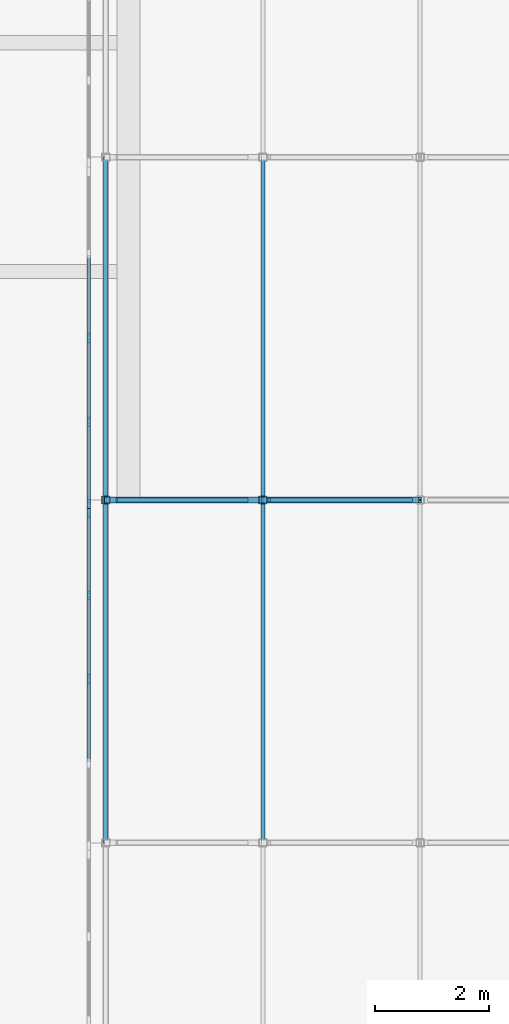
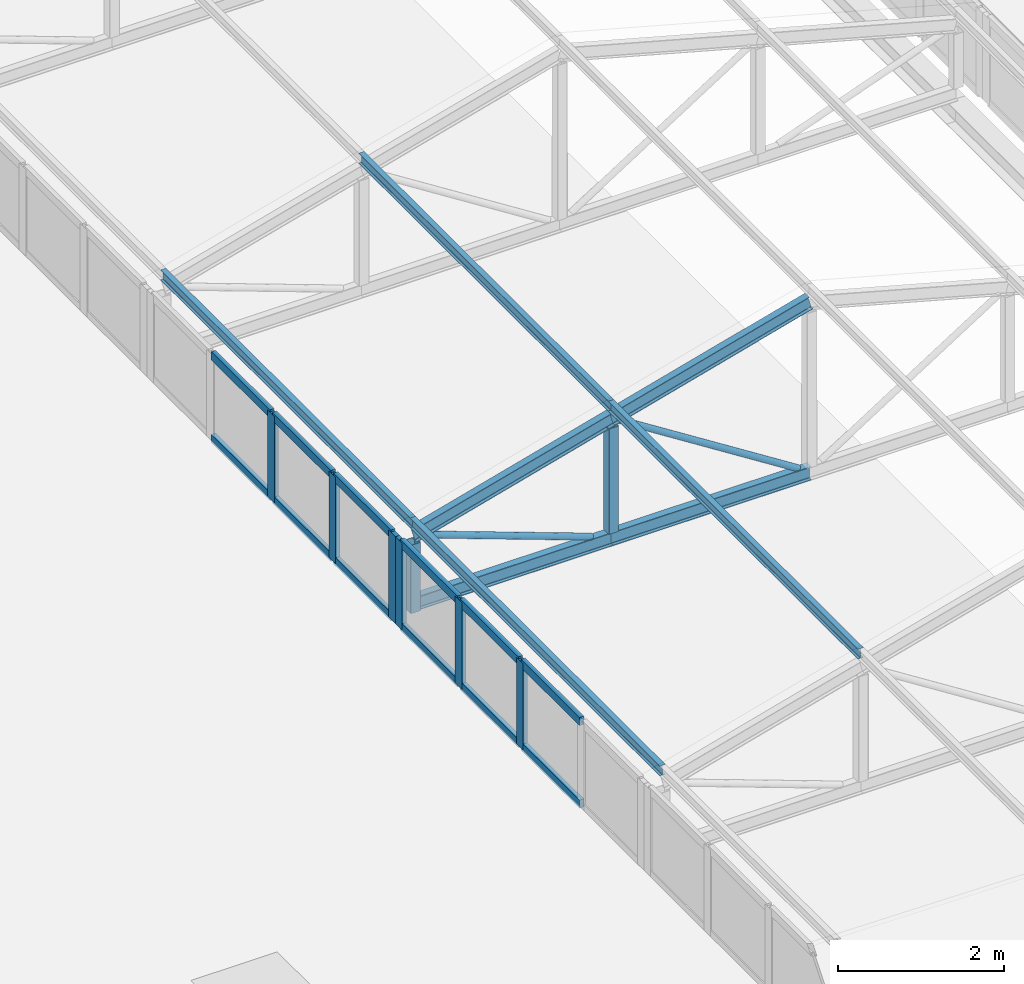
# One storey, part 41 of 94: 30 members, 2 elements without a shape of their own.
"""IFC4 building model written with IfcOpenShell, lengths in metres."""

from ifc_helpers import new_model, si_unit, direction, frame, origin, origin_2d, place, context, subcontext, project, spatial, rectangle, hollow_rectangle, hollow_circle, i_section, extrude, material, layer, layer_set, material_profile, profile_set, type_object, element, aggregate, save


model = new_model("IFC4")

# Units and contexts
model_context = context("Model", 3, precision=1e-05, world=origin(), true_north=direction((0.0, 1.0)))
body_context = subcontext(model_context, "Body", "Model", "MODEL_VIEW")
ifc_project = project(units=[si_unit("LENGTHUNIT", "METRE"), si_unit("AREAUNIT", "SQUARE_METRE"), si_unit("VOLUMEUNIT", "CUBIC_METRE"), si_unit("PLANEANGLEUNIT", "RADIAN"), si_unit("MASSUNIT", "GRAM", prefix="KILO")], contexts=[model_context])

# Site, building, storey
site_placement = place(None, origin())
site = spatial("IfcSite", under=ifc_project, at=site_placement, CompositionType="ELEMENT")
building_placement = place(site_placement, origin())
building = spatial("IfcBuilding", under=site, at=building_placement, Name="Lilac Gate Convention Centre", CompositionType="ELEMENT")
storey_placement = place(building_placement, frame((0.0, 0.0, 21.0)))
storey = spatial("IfcBuildingStorey", under=building, at=storey_placement, Name="L04", CompositionType="ELEMENT", Elevation=21.0)

# Curtain wall, members
ifc_material_1 = material(Name="Aluminium framed double glazing", Category="aluminium")
ifc_layer = layer(ifc_material_1, 0.199951171875)
ifc_layer_set = layer_set([ifc_layer], Name="Aluminium framed double glazing")
curtain_wall_type = type_object("IfcCurtainWallType", Name="Unitised curtain wall 1500", PredefinedType="NOTDEFINED", material=ifc_layer_set)
curtain_wall_1_placement = place(storey_placement, origin())
curtain_wall_1 = element("IfcCurtainWall", 1, at=curtain_wall_1_placement, inside=storey, type_object=curtain_wall_type, Name="Lantern clerestory W 22", PredefinedType="NOTDEFINED")
ifc_material_2 = material(Name="Aluminium alloy 6063", Category="aluminium")
ifc_material_profile_1 = material_profile(ifc_material_2, rectangle(XDim=0.06005859375, YDim=0.159912109375, at=origin_2d()), Name="Curtain wall mullion 60 x 160")
ifc_profile_set_1 = profile_set([ifc_material_profile_1], Name="Aluminium alloy 6063")
member_type_1 = type_object("IfcMemberType", Name="Curtain wall mullion 60 x 160", PredefinedType="MULLION", material=ifc_profile_set_1)
member_1_placement = place(storey_placement, frame((17.300048828125, 158.862548828125, 0.0), z_axis=(0.0, 0.0, 1.0), x_axis=(-1.0, 0.0, 0.0)))
member_1 = element("IfcMember", 2, at=member_1_placement, type_object=member_type_1, Name="CW mullion 3", PredefinedType="MULLION", context=body_context, shape_type="SweptSolid", body=[
    extrude(rectangle(XDim=0.06005859375, YDim=0.159912109375, at=origin_2d()), origin(), (0.0, 0.0, 1.0), 1.272216796875),
])
member_2_placement = place(storey_placement, frame((17.300048828125, 160.331298828125, 0.0), z_axis=(0.0, 0.0, 1.0), x_axis=(-1.0, 0.0, 0.0)))
member_2 = element("IfcMember", 3, at=member_2_placement, type_object=member_type_1, Name="CW mullion 4", PredefinedType="MULLION", context=body_context, shape_type="SweptSolid", body=[
    extrude(rectangle(XDim=0.06005859375, YDim=0.159912109375, at=origin_2d()), origin(), (0.0, 0.0, 1.0), 1.272216796875),
])
member_3_placement = place(storey_placement, frame((17.300048828125, 161.77001953125, 0.0), z_axis=(0.0, 0.0, 1.0), x_axis=(-1.0, 0.0, 0.0)))
member_3 = element("IfcMember", 4, at=member_3_placement, type_object=member_type_1, Name="CW mullion 5", PredefinedType="MULLION", context=body_context, shape_type="SweptSolid", body=[
    extrude(rectangle(XDim=0.06005859375, YDim=0.159912109375, at=origin_2d()), origin(), (0.0, 0.0, 1.0), 1.272216796875),
])

curtain_wall_2_placement = place(storey_placement, origin())
curtain_wall_2 = element("IfcCurtainWall", 5, at=curtain_wall_2_placement, inside=storey, type_object=curtain_wall_type, Name="Lantern clerestory W 23", PredefinedType="NOTDEFINED")
member_4_placement = place(storey_placement, frame((17.300048828125, 161.929931640625, 0.0), z_axis=(0.0, 0.0, 1.0), x_axis=(-1.0, 0.0, 0.0)))
member_4 = element("IfcMember", 6, at=member_4_placement, type_object=member_type_1, Name="CW mullion 1", PredefinedType="MULLION", context=body_context, shape_type="SweptSolid", body=[
    extrude(rectangle(XDim=0.06005859375, YDim=0.159912109375, at=origin_2d()), origin(), (0.0, 0.0, 1.0), 1.272216796875),
])
member_5_placement = place(storey_placement, frame((17.300048828125, 163.36865234375, 0.0), z_axis=(0.0, 0.0, 1.0), x_axis=(-1.0, 0.0, 0.0)))
member_5 = element("IfcMember", 7, at=member_5_placement, type_object=member_type_1, Name="CW mullion 2", PredefinedType="MULLION", context=body_context, shape_type="SweptSolid", body=[
    extrude(rectangle(XDim=0.06005859375, YDim=0.159912109375, at=origin_2d()), origin(), (0.0, 0.0, 1.0), 1.272216796875),
])
member_6_placement = place(storey_placement, frame((17.300048828125, 164.83740234375, 0.0), z_axis=(0.0, 0.0, 1.0), x_axis=(-1.0, 0.0, 0.0)))
member_6 = element("IfcMember", 8, at=member_6_placement, type_object=member_type_1, Name="CW mullion 3", PredefinedType="MULLION", context=body_context, shape_type="SweptSolid", body=[
    extrude(rectangle(XDim=0.06005859375, YDim=0.159912109375, at=origin_2d()), origin(), (0.0, 0.0, 1.0), 1.272216796875),
])

# Member
ifc_material_profile_2 = material_profile(ifc_material_2, rectangle(XDim=0.06005859375, YDim=0.1201171875, at=origin_2d()), Name="Curtain wall transom 60 x 120")
ifc_profile_set_2 = profile_set([ifc_material_profile_2], Name="Aluminium alloy 6063")
member_type_2 = type_object("IfcMemberType", Name="Curtain wall transom 60 x 120", PredefinedType="USERDEFINED", material=ifc_profile_set_2)
member_7_placement = place(storey_placement, frame((17.300048828125, 157.423828125, 0.030029296875), z_axis=(0.0, 1.0, 0.0), x_axis=(-1.0, 0.0, 0.0)))
member_7 = element("IfcMember", 9, at=member_7_placement, type_object=member_type_2, Name="CW transom 2.1", ObjectType="TRANSOM", PredefinedType="USERDEFINED", context=body_context, shape_type="SweptSolid", body=[
    extrude(rectangle(XDim=0.06005859375, YDim=0.1201171875, at=origin_2d()), origin(), (0.0, 0.0, 1.0), 1.40869140625),
])

member_8_placement = place(storey_placement, frame((17.300048828125, 157.423828125, 1.2421875), z_axis=(0.0, 1.0, 0.0), x_axis=(-1.0, 0.0, 0.0)))
member_8 = element("IfcMember", 10, at=member_8_placement, type_object=member_type_2, Name="CW transom 2.2", ObjectType="TRANSOM", PredefinedType="USERDEFINED", context=body_context, shape_type="SweptSolid", body=[
    extrude(rectangle(XDim=0.06005859375, YDim=0.1201171875, at=origin_2d()), origin(), (0.0, 0.0, 1.0), 1.40869140625),
])

member_9_placement = place(storey_placement, frame((17.300048828125, 158.892578125, 0.030029296875), z_axis=(0.0, 1.0, 0.0), x_axis=(-1.0, 0.0, 0.0)))
member_9 = element("IfcMember", 11, at=member_9_placement, type_object=member_type_2, Name="CW transom 3.1", ObjectType="TRANSOM", PredefinedType="USERDEFINED", context=body_context, shape_type="SweptSolid", body=[
    extrude(rectangle(XDim=0.06005859375, YDim=0.1201171875, at=origin_2d()), origin(), (0.0, 0.0, 1.0), 1.40869140625),
])

member_10_placement = place(storey_placement, frame((17.300048828125, 158.892578125, 1.2421875), z_axis=(0.0, 1.0, 0.0), x_axis=(-1.0, 0.0, 0.0)))
member_10 = element("IfcMember", 12, at=member_10_placement, type_object=member_type_2, Name="CW transom 3.2", ObjectType="TRANSOM", PredefinedType="USERDEFINED", context=body_context, shape_type="SweptSolid", body=[
    extrude(rectangle(XDim=0.06005859375, YDim=0.1201171875, at=origin_2d()), origin(), (0.0, 0.0, 1.0), 1.40869140625),
])

member_11_placement = place(storey_placement, frame((17.300048828125, 160.361328125, 0.030029296875), z_axis=(0.0, 1.0, 0.0), x_axis=(-1.0, 0.0, 0.0)))
member_11 = element("IfcMember", 13, at=member_11_placement, type_object=member_type_2, Name="CW transom 4.1", ObjectType="TRANSOM", PredefinedType="USERDEFINED", context=body_context, shape_type="SweptSolid", body=[
    extrude(rectangle(XDim=0.06005859375, YDim=0.1201171875, at=origin_2d()), origin(), (0.0, 0.0, 1.0), 1.378662109375),
])

member_12_placement = place(storey_placement, frame((17.300048828125, 160.361328125, 1.2421875), z_axis=(0.0, 1.0, 0.0), x_axis=(-1.0, 0.0, 0.0)))
member_12 = element("IfcMember", 14, at=member_12_placement, type_object=member_type_2, Name="CW transom 4.2", ObjectType="TRANSOM", PredefinedType="USERDEFINED", context=body_context, shape_type="SweptSolid", body=[
    extrude(rectangle(XDim=0.06005859375, YDim=0.1201171875, at=origin_2d()), origin(), (0.0, 0.0, 1.0), 1.378662109375),
])

aggregate(curtain_wall_1, [member_1, member_2, member_3, member_7, member_8, member_9, member_10, member_11, member_12])

member_13_placement = place(storey_placement, frame((17.300048828125, 161.9599609375, 0.030029296875), z_axis=(0.0, 1.0, 0.0), x_axis=(-1.0, 0.0, 0.0)))
member_13 = element("IfcMember", 15, at=member_13_placement, type_object=member_type_2, Name="CW transom 1.1", ObjectType="TRANSOM", PredefinedType="USERDEFINED", context=body_context, shape_type="SweptSolid", body=[
    extrude(rectangle(XDim=0.06005859375, YDim=0.1201171875, at=origin_2d()), origin(), (0.0, 0.0, 1.0), 1.378662109375),
])

member_14_placement = place(storey_placement, frame((17.300048828125, 161.9599609375, 1.2421875), z_axis=(0.0, 1.0, 0.0), x_axis=(-1.0, 0.0, 0.0)))
member_14 = element("IfcMember", 16, at=member_14_placement, type_object=member_type_2, Name="CW transom 1.2", ObjectType="TRANSOM", PredefinedType="USERDEFINED", context=body_context, shape_type="SweptSolid", body=[
    extrude(rectangle(XDim=0.06005859375, YDim=0.1201171875, at=origin_2d()), origin(), (0.0, 0.0, 1.0), 1.378662109375),
])

member_15_placement = place(storey_placement, frame((17.300048828125, 163.398681640625, 0.030029296875), z_axis=(0.0, 1.0, 0.0), x_axis=(-1.0, 0.0, 0.0)))
member_15 = element("IfcMember", 17, at=member_15_placement, type_object=member_type_2, Name="CW transom 2.1", ObjectType="TRANSOM", PredefinedType="USERDEFINED", context=body_context, shape_type="SweptSolid", body=[
    extrude(rectangle(XDim=0.06005859375, YDim=0.1201171875, at=origin_2d()), origin(), (0.0, 0.0, 1.0), 1.40869140625),
])

member_16_placement = place(storey_placement, frame((17.300048828125, 163.398681640625, 1.2421875), z_axis=(0.0, 1.0, 0.0), x_axis=(-1.0, 0.0, 0.0)))
member_16 = element("IfcMember", 18, at=member_16_placement, type_object=member_type_2, Name="CW transom 2.2", ObjectType="TRANSOM", PredefinedType="USERDEFINED", context=body_context, shape_type="SweptSolid", body=[
    extrude(rectangle(XDim=0.06005859375, YDim=0.1201171875, at=origin_2d()), origin(), (0.0, 0.0, 1.0), 1.40869140625),
])

member_17_placement = place(storey_placement, frame((17.300048828125, 164.867431640625, 0.030029296875), z_axis=(0.0, 1.0, 0.0), x_axis=(-1.0, 0.0, 0.0)))
member_17 = element("IfcMember", 19, at=member_17_placement, type_object=member_type_2, Name="CW transom 3.1", ObjectType="TRANSOM", PredefinedType="USERDEFINED", context=body_context, shape_type="SweptSolid", body=[
    extrude(rectangle(XDim=0.06005859375, YDim=0.1201171875, at=origin_2d()), origin(), (0.0, 0.0, 1.0), 1.40869140625),
])

member_18_placement = place(storey_placement, frame((17.300048828125, 164.867431640625, 1.2421875), z_axis=(0.0, 1.0, 0.0), x_axis=(-1.0, 0.0, 0.0)))
member_18 = element("IfcMember", 20, at=member_18_placement, type_object=member_type_2, Name="CW transom 3.2", ObjectType="TRANSOM", PredefinedType="USERDEFINED", context=body_context, shape_type="SweptSolid", body=[
    extrude(rectangle(XDim=0.06005859375, YDim=0.1201171875, at=origin_2d()), origin(), (0.0, 0.0, 1.0), 1.40869140625),
])

aggregate(curtain_wall_2, [member_4, member_5, member_6, member_13, member_14, member_15, member_16, member_17, member_18])

# Members
ifc_material_3 = material(Name="Steel Q355B", Category="steel")
ifc_material_profile_3 = material_profile(ifc_material_3, i_section(OverallWidth=0.10009765625, OverallDepth=0.199951171875, WebThickness=0.005615234375, FlangeThickness=0.008056640625, FilletRadius=0.008056640625, at=origin_2d()), Name="HN200x100x5.5x8")
ifc_profile_set_3 = profile_set([ifc_material_profile_3], Name="Steel Q355B")
member_type_3 = type_object("IfcMemberType", Name="Lantern bottom chord HN200x100x5.5x8", PredefinedType="CHORD", material=ifc_profile_set_3)
for number, where, z_axis, x_axis, name in (
    (21, (17.60009765625, 162.0, 0.10009765625), (1.0, 0.0, 0.0), (0.0, 1.0, 0.0), "LB1 lantern truss 23 bottom chord 1"),
    (22, (20.35009765625, 162.0, 0.10009765625), (1.0, 0.0, 0.0), (0.0, 1.0, 0.0), "LB1 lantern truss 23 bottom chord 2"),
):
    element("IfcMember", number, at=place(storey_placement, frame(where, z_axis=z_axis, x_axis=x_axis)), inside=storey, type_object=member_type_3, Name=name, PredefinedType="CHORD", context=body_context, shape_type="SweptSolid", body=[
        extrude(i_section(OverallWidth=0.10009765625, OverallDepth=0.199951171875, WebThickness=0.005615234375, FlangeThickness=0.008056640625, FilletRadius=0.008056640625, at=origin_2d()), origin(), (0.0, 0.0, 1.0), 2.75),
    ])
ifc_material_profile_4 = material_profile(ifc_material_3, hollow_circle(Radius=0.04443359375, WallThickness=0.0048828125, at=origin_2d()), Name="CHS88.9x5")
ifc_profile_set_4 = profile_set([ifc_material_profile_4], Name="Steel Q355B")
member_type_4 = type_object("IfcMemberType", Name="Lantern diagonal CHS88.9x5", PredefinedType="BRACE", material=ifc_profile_set_4)
member_19_placement = place(storey_placement, frame((17.789794921875, 162.0, 1.031005859375), z_axis=(0.939781696917, 0.0, -0.341775309434), x_axis=(0.0, 1.0, 0.0)))
element("IfcMember", 23, at=member_19_placement, inside=storey, type_object=member_type_4, Name="LW1 lantern truss 23 diagonal 1", PredefinedType="BRACE", context=body_context, shape_type="SweptSolid", body=[
    extrude(hollow_circle(Radius=0.04443359375, WallThickness=0.0048828125, at=origin_2d()), origin(), (0.0, 0.0, 1.0), 2.431640625),
])
member_20_placement = place(storey_placement, frame((20.45849609375, 162.0, 1.781005859375), z_axis=(0.843647832412, 0.0, -0.536896949951), x_axis=(0.0, 1.0, 0.0)))
element("IfcMember", 24, at=member_20_placement, inside=storey, type_object=member_type_4, Name="LW1 lantern truss 23 diagonal 2", PredefinedType="BRACE", context=body_context, shape_type="SweptSolid", body=[
    extrude(hollow_circle(Radius=0.04443359375, WallThickness=0.0048828125, at=origin_2d()), origin(), (0.0, 0.0, 1.0), 2.94482421875),
])
ifc_material_profile_5 = material_profile(ifc_material_3, hollow_rectangle(XDim=0.139892578125, YDim=0.139892578125, WallThickness=0.0048828125, InnerFilletRadius=0.0048828125, OuterFilletRadius=0.010009765625, at=origin_2d()), Name="SHS140x140x5")
ifc_profile_set_5 = profile_set([ifc_material_profile_5], Name="Steel Q355B")
member_type_5 = type_object("IfcMemberType", Name="Lantern post SHS140x140x5", PredefinedType="STRUT", material=ifc_profile_set_5)
member_21_placement = place(storey_placement, frame((17.60009765625, 162.0, 0.0), z_axis=(0.0, 0.0, 1.0), x_axis=(1.0, 0.0, 0.0)))
element("IfcMember", 25, at=member_21_placement, inside=storey, type_object=member_type_5, Name="LV1 lantern truss 23 post 1", PredefinedType="STRUT", context=body_context, shape_type="SweptSolid", body=[
    extrude(hollow_rectangle(XDim=0.139892578125, YDim=0.139892578125, WallThickness=0.0048828125, InnerFilletRadius=0.0048828125, OuterFilletRadius=0.010009765625, at=origin_2d()), origin(), (0.0, 0.0, 1.0), 1.001953125),
])
member_22_placement = place(storey_placement, frame((20.35009765625, 162.0, 0.199951171875), z_axis=(0.0, 0.0, 1.0), x_axis=(1.0, 0.0, 0.0)))
element("IfcMember", 26, at=member_22_placement, inside=storey, type_object=member_type_5, Name="LV1 lantern truss 23 post 2", PredefinedType="STRUT", context=body_context, shape_type="SweptSolid", body=[
    extrude(hollow_rectangle(XDim=0.139892578125, YDim=0.139892578125, WallThickness=0.0048828125, InnerFilletRadius=0.0048828125, OuterFilletRadius=0.010009765625, at=origin_2d()), origin(), (0.0, 0.0, 1.0), 1.546142578125),
])
ifc_material_profile_6 = material_profile(ifc_material_3, i_section(OverallWidth=0.074951171875, OverallDepth=0.14990234375, WebThickness=0.0048828125, FlangeThickness=0.007080078125, FilletRadius=0.008056640625, at=origin_2d()), Name="HN150x75x5x7")
ifc_profile_set_6 = profile_set([ifc_material_profile_6], Name="Steel Q355B")
member_type_6 = type_object("IfcMemberType", Name="Lantern purlin HN150x75x5x7", PredefinedType="PURLIN", material=ifc_profile_set_6)
for number, where, z_axis, x_axis, name in (
    (27, (17.60009765625, 156.0, 1.279052734375), (0.0, 1.0, 0.0), (-1.0, 0.0, 0.0), "LP1 lantern purlin bay 22 line 1"),
    (28, (17.60009765625, 162.0, 1.279052734375), (0.0, 1.0, 0.0), (-1.0, 0.0, 0.0), "LP1 lantern purlin bay 23 line 1"),
    (29, (20.35009765625, 156.0, 2.029052734375), (0.0, 1.0, 0.0), (-1.0, 0.0, 0.0), "LP1 lantern purlin bay 22 line 2"),
    (30, (20.35009765625, 162.0, 2.029052734375), (0.0, 1.0, 0.0), (-1.0, 0.0, 0.0), "LP1 lantern purlin bay 23 line 2"),
):
    element("IfcMember", number, at=place(storey_placement, frame(where, z_axis=z_axis, x_axis=x_axis)), inside=storey, type_object=member_type_6, Name=name, PredefinedType="PURLIN", context=body_context, shape_type="SweptSolid", body=[
        extrude(i_section(OverallWidth=0.074951171875, OverallDepth=0.14990234375, WebThickness=0.0048828125, FlangeThickness=0.007080078125, FilletRadius=0.008056640625, at=origin_2d()), origin(), (0.0, 0.0, 1.0), 6.0),
    ])
ifc_material_profile_7 = material_profile(ifc_material_3, i_section(OverallWidth=0.10009765625, OverallDepth=0.199951171875, WebThickness=0.005615234375, FlangeThickness=0.008056640625, FilletRadius=0.008056640625, at=origin_2d()), Name="HN200x100x5.5x8")
ifc_profile_set_7 = profile_set([ifc_material_profile_7], Name="Steel Q355B")
member_type_7 = type_object("IfcMemberType", Name="Lantern top chord HN200x100x5.5x8", PredefinedType="CHORD", material=ifc_profile_set_7)
for number, where, z_axis, x_axis, name in (
    (31, (17.60009765625, 162.0, 1.10009765625), (0.964763821238, 0.0, 0.263117405792), (0.0, 1.0, 0.0), "LT1 lantern truss 23 top chord 1"),
    (32, (20.35009765625, 162.0, 1.85009765625), (0.964763821238, 0.0, 0.263117405792), (0.0, 1.0, 0.0), "LT1 lantern truss 23 top chord 2"),
):
    element("IfcMember", number, at=place(storey_placement, frame(where, z_axis=z_axis, x_axis=x_axis)), inside=storey, type_object=member_type_7, Name=name, PredefinedType="CHORD", context=body_context, shape_type="SweptSolid", body=[
        extrude(i_section(OverallWidth=0.10009765625, OverallDepth=0.199951171875, WebThickness=0.005615234375, FlangeThickness=0.008056640625, FilletRadius=0.008056640625, at=origin_2d()), origin(), (0.0, 0.0, 1.0), 2.850341796875),
    ])

save(model, "model.ifc")
